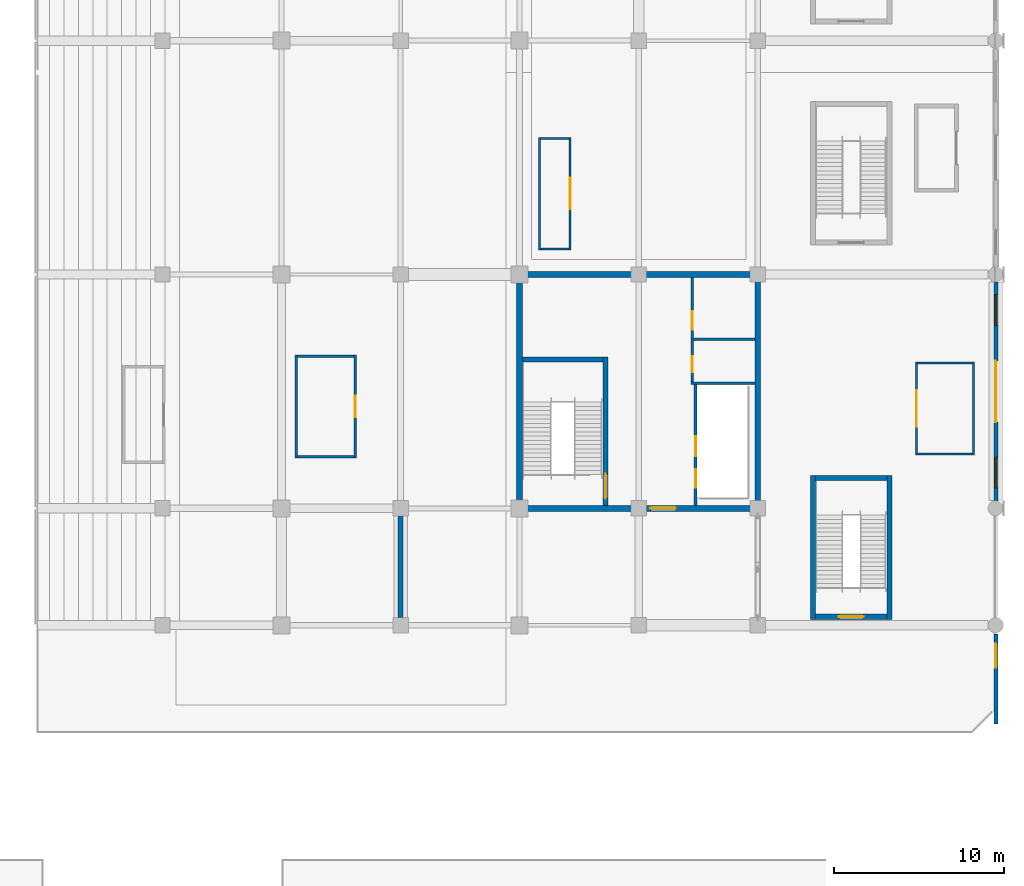
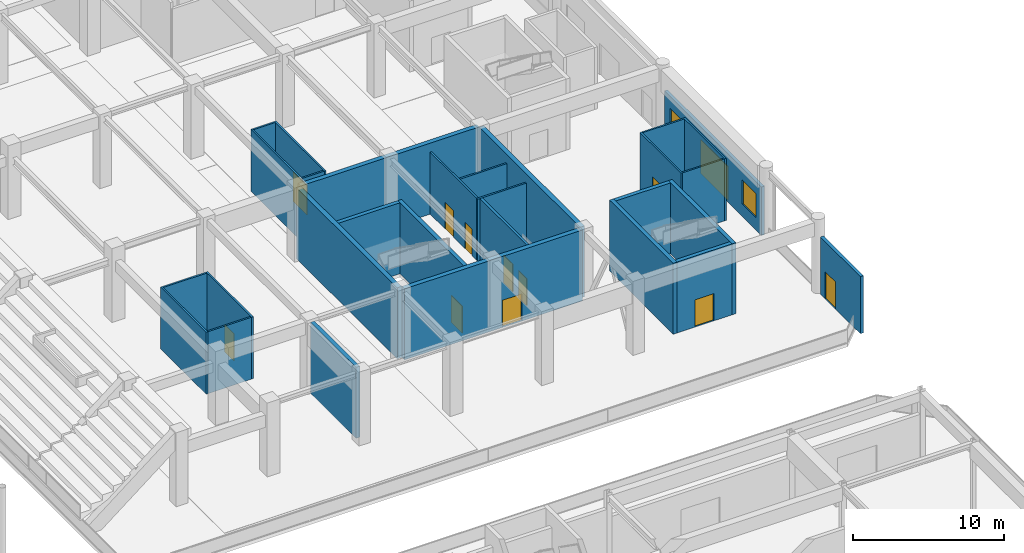
# One storey, part 44 of 73: 29 walls, 12 doors, 2 windows, 14 openings.
"""IFC4 building model written with IfcOpenShell, lengths in metres."""

from ifc_helpers import new_model, si_unit, direction, frame, frame_2d, origin, place, context, subcontext, project, spatial, rectangle, extrude, material, layer, layer_set, type_object, element, fill, save


model = new_model("IFC4")

# Units and contexts
model_context = context("Model", 3, precision=1e-05, world=origin(), true_north=direction((0.0, 1.0)))
body_context = subcontext(model_context, "Body", "Model", "MODEL_VIEW")
ifc_project = project(units=[si_unit("LENGTHUNIT", "METRE"), si_unit("AREAUNIT", "SQUARE_METRE"), si_unit("VOLUMEUNIT", "CUBIC_METRE"), si_unit("PLANEANGLEUNIT", "RADIAN"), si_unit("MASSUNIT", "GRAM", prefix="KILO")], contexts=[model_context])

# Site, building, storey
site_placement = place(None, origin())
site = spatial("IfcSite", under=ifc_project, at=site_placement, CompositionType="ELEMENT")
building_placement = place(site_placement, origin())
building = spatial("IfcBuilding", under=site, at=building_placement, Name="Linyun Crest Stadium", CompositionType="ELEMENT")
storey_placement = place(building_placement, origin())
storey = spatial("IfcBuildingStorey", under=building, at=storey_placement, Name="L01", CompositionType="ELEMENT", Elevation=0.0)

# Walls
ifc_material_1 = material(Name="Concrete C50", Category="concrete")
ifc_layer_1 = layer(ifc_material_1, 0.35009765625)
ifc_layer_set_1 = layer_set([ifc_layer_1], Name="Concrete C50")
wall_type_1 = type_object("IfcWallType", Name="CW01", PredefinedType="SHEAR", material=ifc_layer_set_1)
for number, where, z_axis, x_axis, name in (
    (1, (70.0, -38.949951171875, 0.0), (0.0, 0.0, 1.0), (0.0, 1.0, 0.0), "Core shear wall CW01 CORE-E1 L01.1"),
    (2, (84.0, -38.949951171875, 0.0), (0.0, 0.0, 1.0), (0.0, 1.0, 0.0), "Core shear wall CW01 CORE-E1 L01.2"),
):
    element("IfcWall", number, at=place(storey_placement, frame(where, z_axis=z_axis, x_axis=x_axis)), inside=storey, type_object=wall_type_1, Name=name, PredefinedType="SHEAR", context=body_context, shape_type="SweptSolid", body=[
        extrude(rectangle(XDim=13.39990234375, YDim=0.35009765625, at=frame_2d((6.699951171875, 0.0))), origin(), (0.0, 0.0, 1.0), 5.75),
    ])

# Wall, opening, door
wall_1_placement = place(storey_placement, frame((70.175048828125, -39.125, 0.0), z_axis=(0.0, 0.0, 1.0), x_axis=(1.0, 0.0, 0.0)))
wall_1 = element("IfcWall", 3, at=wall_1_placement, inside=storey, type_object=wall_type_1, Name="Core shear wall CW01 CORE-E1 L01.3", PredefinedType="SHEAR", context=body_context, shape_type="SweptSolid", body=[
    extrude(rectangle(XDim=13.64990234375, YDim=0.35009765625, at=frame_2d((6.824951171875, 0.0))), origin(), (0.0, 0.0, 1.0), 5.75),
])
opening_1_placement = place(wall_1_placement, frame((7.508056640625, 0.0, 0.0)))
opening_1 = element("IfcOpeningElement", 4, at=opening_1_placement, cuts=wall_1, Name="Opening D-L01-154", PredefinedType="OPENING", context=body_context, shape_type="SweptSolid", body=[
    extrude(rectangle(XDim=1.5, YDim=2.199951171875, at=frame_2d((0.75, 1.10009765625))), frame((0.0, 0.18505859375, 0.0), z_axis=(0.0, -1.0, 0.0), x_axis=(1.0, 0.0, 0.0)), (0.0, 0.0, 1.0), 0.3701171875),
])
ifc_material_2 = material(Name="Galvanized steel Class A fire door", Category="steel")
ifc_layer_2 = layer(ifc_material_2, 0.054931640625)
ifc_layer_set_2 = layer_set([ifc_layer_2], Name="Galvanized steel Class A fire door")
door_type_1 = type_object("IfcDoorType", Name="FD01", OperationType="NOTDEFINED", PredefinedType="DOOR", material=ifc_layer_set_2)
door_1_placement = place(opening_1_placement, origin())
door_1 = element("IfcDoor", 5, at=door_1_placement, inside=storey, type_object=door_type_1, Name="Door D-L01-154", OperationType="SINGLE_SWING_RIGHT", OverallHeight=2.199951171875, OverallWidth=1.5, PredefinedType="DOOR", context=body_context, shape_type="SweptSolid", body=[
    extrude(rectangle(XDim=1.5, YDim=2.199951171875, at=frame_2d((0.75, 1.10009765625))), frame((0.0, 0.02490234375, 0.0), z_axis=(0.0, -1.0, 0.0), x_axis=(1.0, 0.0, 0.0)), (0.0, 0.0, 1.0), 0.050048828125),
])
fill(opening_1, door_1)

# Wall
wall_2_placement = place(storey_placement, frame((70.175048828125, -25.375, 0.0), z_axis=(0.0, 0.0, 1.0), x_axis=(1.0, 0.0, 0.0)))
element("IfcWall", 6, at=wall_2_placement, inside=storey, type_object=wall_type_1, Name="Core shear wall CW01 CORE-E1 L01.4", PredefinedType="SHEAR", context=body_context, shape_type="SweptSolid", body=[
    extrude(rectangle(XDim=13.64990234375, YDim=0.35009765625, at=frame_2d((6.824951171875, 0.0))), origin(), (0.0, 0.0, 1.0), 5.75),
])

# Wall, openings, door, windows
ifc_material_3 = material(Name="Precast concrete C40 architectural ribbed panel", Category="concrete")
ifc_layer_3 = layer(ifc_material_3, 0.239990234375)
ifc_layer_set_3 = layer_set([ifc_layer_3], Name="Precast concrete C40 architectural ribbed panel")
wall_type_2 = type_object("IfcWallType", Name="EW01", PredefinedType="SOLIDWALL", material=ifc_layer_set_3)
wall_3_placement = place(storey_placement, frame((98.0, -25.81494140625, 0.0), z_axis=(0.0, 0.0, 1.0), x_axis=(0.0, -1.0, 0.0)))
wall_3 = element("IfcWall", 7, at=wall_3_placement, inside=storey, type_object=wall_type_2, Name="Exterior wall EW01 L01 4", PredefinedType="SOLIDWALL", context=body_context, shape_type="SweptSolid", body=[
    extrude(rectangle(XDim=12.8701171875, YDim=0.239990234375, at=frame_2d((6.43505859375, 0.0))), origin(), (0.0, 0.0, 1.0), 3.925048828125),
])
opening_2_placement = place(wall_3_placement, frame((4.635009765625, 0.0, 0.0)))
opening_2 = element("IfcOpeningElement", 8, at=opening_2_placement, cuts=wall_3, Name="Opening E02", PredefinedType="OPENING", context=body_context, shape_type="SweptSolid", body=[
    extrude(rectangle(XDim=3.60009765625, YDim=2.75, at=frame_2d((1.800048828125, 1.375))), frame((0.0, 0.1298828125, 0.0), z_axis=(0.0, -1.0, 0.0), x_axis=(1.0, 0.0, 0.0)), (0.0, 0.0, 1.0), 0.260009765625),
])
opening_3_placement = place(wall_3_placement, frame((0.75, 0.0, 1.0)))
opening_3 = element("IfcOpeningElement", 9, at=opening_3_placement, cuts=wall_3, Name="Opening WN02", PredefinedType="OPENING", context=body_context, shape_type="SweptSolid", body=[
    extrude(rectangle(XDim=1.800048828125, YDim=1.949951171875, at=frame_2d((0.89990234375, 0.97509765625))), frame((0.0, 0.1298828125, 0.0), z_axis=(0.0, -1.0, 0.0), x_axis=(1.0, 0.0, 0.0)), (0.0, 0.0, 1.0), 0.260009765625),
])
opening_4_placement = place(wall_3_placement, frame((10.320068359375, 0.0, 1.0)))
opening_4 = element("IfcOpeningElement", 10, at=opening_4_placement, cuts=wall_3, Name="Opening WN02", PredefinedType="OPENING", context=body_context, shape_type="SweptSolid", body=[
    extrude(rectangle(XDim=1.800048828125, YDim=1.949951171875, at=frame_2d((0.89990234375, 0.97509765625))), frame((0.0, 0.1298828125, 0.0), z_axis=(0.0, -1.0, 0.0), x_axis=(1.0, 0.0, 0.0)), (0.0, 0.0, 1.0), 0.260009765625),
])
ifc_material_4 = material(Name="Verdigris painted steel and laminated glass", Category="steel")
ifc_layer_4 = layer(ifc_material_4, 0.06005859375)
ifc_layer_set_4 = layer_set([ifc_layer_4], Name="Verdigris painted steel and laminated glass")
door_type_2 = type_object("IfcDoorType", Name="ED02", OperationType="NOTDEFINED", PredefinedType="DOOR", material=ifc_layer_set_4)
door_2_placement = place(opening_2_placement, origin())
door_2 = element("IfcDoor", 11, at=door_2_placement, inside=storey, type_object=door_type_2, Name="Main entrance E02", OperationType="DOUBLE_DOOR_SINGLE_SWING", OverallHeight=2.75, OverallWidth=3.60009765625, PredefinedType="DOOR", context=body_context, shape_type="SweptSolid", body=[
    extrude(rectangle(XDim=3.60009765625, YDim=2.75, at=frame_2d((1.800048828125, 1.375))), frame((0.0, 0.02490234375, 0.0), z_axis=(0.0, -1.0, 0.0), x_axis=(1.0, 0.0, 0.0)), (0.0, 0.0, 1.0), 0.050048828125),
])
fill(opening_2, door_2)
ifc_material_5 = material(Name="Aluminium frame with double low-E glazing", Category="aluminium")
ifc_layer_5 = layer(ifc_material_5, 0.06005859375)
ifc_layer_set_5 = layer_set([ifc_layer_5], Name="Aluminium frame with double low-E glazing")
window_type = type_object("IfcWindowType", Name="WN02", PartitioningType="SINGLE_PANEL", PredefinedType="WINDOW", material=ifc_layer_set_5)
window_1_placement = place(opening_3_placement, origin())
window_1 = element("IfcWindow", 12, at=window_1_placement, inside=storey, type_object=window_type, Name="Window WN02 L01 5", OverallHeight=1.949951171875, OverallWidth=1.800048828125, PartitioningType="SINGLE_PANEL", PredefinedType="WINDOW", context=body_context, shape_type="SweptSolid", body=[
    extrude(rectangle(XDim=1.800048828125, YDim=1.949951171875, at=frame_2d((0.89990234375, 0.97509765625))), frame((0.0, 0.030029296875, 0.0), z_axis=(0.0, -1.0, 0.0), x_axis=(1.0, 0.0, 0.0)), (0.0, 0.0, 1.0), 0.06005859375),
])
fill(opening_3, window_1)
window_2_placement = place(opening_4_placement, origin())
window_2 = element("IfcWindow", 13, at=window_2_placement, inside=storey, type_object=window_type, Name="Window WN02 L01 6", OverallHeight=1.949951171875, OverallWidth=1.800048828125, PartitioningType="SINGLE_PANEL", PredefinedType="WINDOW", context=body_context, shape_type="SweptSolid", body=[
    extrude(rectangle(XDim=1.800048828125, YDim=1.949951171875, at=frame_2d((0.89990234375, 0.97509765625))), frame((0.0, 0.030029296875, 0.0), z_axis=(0.0, -1.0, 0.0), x_axis=(1.0, 0.0, 0.0)), (0.0, 0.0, 1.0), 0.06005859375),
])
fill(opening_4, window_2)

# Wall, opening, door
wall_4_placement = place(storey_placement, frame((98.0, -46.5, 0.0), z_axis=(0.0, 0.0, 1.0), x_axis=(0.0, -1.0, 0.0)))
wall_4 = element("IfcWall", 14, at=wall_4_placement, inside=storey, type_object=wall_type_2, Name="Exterior wall EW01 L01 27", PredefinedType="SOLIDWALL", context=body_context, shape_type="SweptSolid", body=[
    extrude(rectangle(XDim=5.300048828125, YDim=0.239990234375, at=frame_2d((2.64990234375, 0.0))), origin(), (0.0, 0.0, 1.0), 4.625),
])
opening_5_placement = place(wall_4_placement, frame((0.60009765625, 0.0, 0.0)))
opening_5 = element("IfcOpeningElement", 15, at=opening_5_placement, cuts=wall_4, Name="Opening E-ST18", PredefinedType="OPENING", context=body_context, shape_type="SweptSolid", body=[
    extrude(rectangle(XDim=1.39990234375, YDim=2.199951171875, at=frame_2d((0.699951171875, 1.10009765625))), frame((0.0, 0.1298828125, 0.0), z_axis=(0.0, -1.0, 0.0), x_axis=(1.0, 0.0, 0.0)), (0.0, 0.0, 1.0), 0.260009765625),
])
ifc_material_6 = material(Name="Galvanized fire-rated steel leaf", Category="steel")
ifc_layer_6 = layer(ifc_material_6, 0.054931640625)
ifc_layer_set_6 = layer_set([ifc_layer_6], Name="Galvanized fire-rated steel leaf")
door_type_3 = type_object("IfcDoorType", Name="FD09", OperationType="NOTDEFINED", PredefinedType="DOOR", material=ifc_layer_set_6)
door_3_placement = place(opening_5_placement, origin())
door_3 = element("IfcDoor", 16, at=door_3_placement, inside=storey, type_object=door_type_3, Name="Stair discharge exit E-ST18", OperationType="SINGLE_SWING_RIGHT", OverallHeight=2.199951171875, OverallWidth=1.39990234375, PredefinedType="DOOR", context=body_context, shape_type="SweptSolid", body=[
    extrude(rectangle(XDim=1.39990234375, YDim=2.199951171875, at=frame_2d((0.699951171875, 1.10009765625))), frame((0.0, 0.02490234375, 0.0), z_axis=(0.0, -1.0, 0.0), x_axis=(1.0, 0.0, 0.0)), (0.0, 0.0, 1.0), 0.050048828125),
])
fill(opening_5, door_3)

# Wall, openings, doors
ifc_material_7 = material(Name="Autoclaved aerated concrete block fire partition", Category="concrete")
ifc_layer_7 = layer(ifc_material_7, 0.179931640625)
ifc_layer_set_7 = layer_set([ifc_layer_7], Name="Autoclaved aerated concrete block fire partition")
wall_type_3 = type_object("IfcWallType", Name="PW12", PredefinedType="PARTITIONING", material=ifc_layer_set_7)
wall_5_placement = place(storey_placement, frame((80.35009765625, -38.949951171875, 0.0), z_axis=(0.0, 0.0, 1.0), x_axis=(0.0, 1.0, 0.0)))
wall_5 = element("IfcWall", 17, at=wall_5_placement, inside=storey, type_object=wall_type_3, Name="Partition PW12 L01 59", PredefinedType="PARTITIONING", context=body_context, shape_type="SweptSolid", body=[
    extrude(rectangle(XDim=7.10498046875, YDim=0.179931640625, at=frame_2d((3.552490234375, 0.0))), origin(), (0.0, 0.0, 1.0), 5.02001953125),
])
opening_6_placement = place(wall_5_placement, frame((1.02490234375, 0.0, 0.0)))
opening_6 = element("IfcOpeningElement", 18, at=opening_6_placement, cuts=wall_5, Name="Opening LD051", PredefinedType="OPENING", context=body_context, shape_type="SweptSolid", body=[
    extrude(rectangle(XDim=1.10009765625, YDim=2.199951171875, at=frame_2d((0.550048828125, 1.10009765625))), frame((0.0, 0.099853515625, 0.0), z_axis=(0.0, -1.0, 0.0), x_axis=(1.0, 0.0, 0.0)), (0.0, 0.0, 1.0), 0.199951171875),
])
opening_7_placement = place(wall_5_placement, frame((2.875, 0.0, 0.0)))
opening_7 = element("IfcOpeningElement", 19, at=opening_7_placement, cuts=wall_5, Name="Opening LD052", PredefinedType="OPENING", context=body_context, shape_type="SweptSolid", body=[
    extrude(rectangle(XDim=1.199951171875, YDim=2.25, at=frame_2d((0.60009765625, 1.125))), frame((0.0, 0.099853515625, 0.0), z_axis=(0.0, -1.0, 0.0), x_axis=(1.0, 0.0, 0.0)), (0.0, 0.0, 1.0), 0.199951171875),
])
ifc_material_8 = material(Name="Brushed stainless sliding lift door")
ifc_layer_8 = layer(ifc_material_8, 0.050048828125)
ifc_layer_set_8 = layer_set([ifc_layer_8], Name="Brushed stainless sliding lift door")
door_type_4 = type_object("IfcDoorType", Name="LD01", OperationType="NOTDEFINED", PredefinedType="DOOR", material=ifc_layer_set_8)
door_4_placement = place(opening_6_placement, origin())
door_4 = element("IfcDoor", 20, at=door_4_placement, inside=storey, type_object=door_type_4, Name="Lift landing door LD051", OperationType="DOUBLE_DOOR_SLIDING", OverallHeight=2.199951171875, OverallWidth=1.10009765625, PredefinedType="DOOR", context=body_context, shape_type="SweptSolid", body=[
    extrude(rectangle(XDim=1.10009765625, YDim=2.199951171875, at=frame_2d((0.550048828125, 1.10009765625))), frame((0.0, 0.02490234375, 0.0), z_axis=(0.0, -1.0, 0.0), x_axis=(1.0, 0.0, 0.0)), (0.0, 0.0, 1.0), 0.050048828125),
])
fill(opening_6, door_4)
ifc_material_9 = material(Name="Brushed stainless sliding lift door")
ifc_layer_9 = layer(ifc_material_9, 0.050048828125)
ifc_layer_set_9 = layer_set([ifc_layer_9], Name="Brushed stainless sliding lift door")
door_type_5 = type_object("IfcDoorType", Name="LD02", OperationType="NOTDEFINED", PredefinedType="DOOR", material=ifc_layer_set_9)
door_5_placement = place(opening_7_placement, origin())
door_5 = element("IfcDoor", 21, at=door_5_placement, inside=storey, type_object=door_type_5, Name="Lift landing door LD052", OperationType="DOUBLE_DOOR_SLIDING", OverallHeight=2.25, OverallWidth=1.199951171875, PredefinedType="DOOR", context=body_context, shape_type="SweptSolid", body=[
    extrude(rectangle(XDim=1.199951171875, YDim=2.25, at=frame_2d((0.60009765625, 1.125))), frame((0.0, 0.02490234375, 0.0), z_axis=(0.0, -1.0, 0.0), x_axis=(1.0, 0.0, 0.0)), (0.0, 0.0, 1.0), 0.050048828125),
])
fill(opening_7, door_5)

ifc_material_10 = material(Name="Moisture-resistant ceramic-tiled wet-room wall")
ifc_layer_10 = layer(ifc_material_10, 0.139892578125)
ifc_layer_set_10 = layer_set([ifc_layer_10], Name="Moisture-resistant ceramic-tiled wet-room wall")
wall_type_4 = type_object("IfcWallType", Name="PW15", PredefinedType="PARTITIONING", material=ifc_layer_set_10)
wall_6_placement = place(storey_placement, frame((80.14990234375, -31.705078125, 0.0), z_axis=(0.0, 0.0, 1.0), x_axis=(0.0, 1.0, 0.0)))
wall_6 = element("IfcWall", 22, at=wall_6_placement, inside=storey, type_object=wall_type_4, Name="Partition PW15 L01 60", PredefinedType="PARTITIONING", context=body_context, shape_type="SweptSolid", body=[
    extrude(rectangle(XDim=6.155029296875, YDim=0.139892578125, at=frame_2d((3.07763671875, 0.0))), origin(), (0.0, 0.0, 1.0), 5.02001953125),
])
opening_8_placement = place(wall_6_placement, frame((0.580078125, 0.0, 0.0)))
opening_8 = element("IfcOpeningElement", 23, at=opening_8_placement, cuts=wall_6, Name="Opening D-L01-158", PredefinedType="OPENING", context=body_context, shape_type="SweptSolid", body=[
    extrude(rectangle(XDim=0.949951171875, YDim=2.14990234375, at=frame_2d((0.47509765625, 1.074951171875))), frame((0.0, 0.079833984375, 0.0), z_axis=(0.0, -1.0, 0.0), x_axis=(1.0, 0.0, 0.0)), (0.0, 0.0, 1.0), 0.159912109375),
])
opening_9_placement = place(wall_6_placement, frame((3.080078125, 0.0, 0.0)))
opening_9 = element("IfcOpeningElement", 24, at=opening_9_placement, cuts=wall_6, Name="Opening D-L01-159", PredefinedType="OPENING", context=body_context, shape_type="SweptSolid", body=[
    extrude(rectangle(XDim=1.10009765625, YDim=2.14990234375, at=frame_2d((0.550048828125, 1.074951171875))), frame((0.0, 0.079833984375, 0.0), z_axis=(0.0, -1.0, 0.0), x_axis=(1.0, 0.0, 0.0)), (0.0, 0.0, 1.0), 0.159912109375),
])
ifc_material_11 = material(Name="Moisture-resistant laminate leaf")
ifc_layer_11 = layer(ifc_material_11, 0.044921875)
ifc_layer_set_11 = layer_set([ifc_layer_11], Name="Moisture-resistant laminate leaf")
door_type_6 = type_object("IfcDoorType", Name="ID02", OperationType="NOTDEFINED", PredefinedType="DOOR", material=ifc_layer_set_11)
door_6_placement = place(opening_8_placement, origin())
door_6 = element("IfcDoor", 25, at=door_6_placement, inside=storey, type_object=door_type_6, Name="Door D-L01-158", OperationType="SINGLE_SWING_RIGHT", OverallHeight=2.14990234375, OverallWidth=0.949951171875, PredefinedType="DOOR", context=body_context, shape_type="SweptSolid", body=[
    extrude(rectangle(XDim=0.949951171875, YDim=2.14990234375, at=frame_2d((0.47509765625, 1.074951171875))), frame((0.0, 0.02490234375, 0.0), z_axis=(0.0, -1.0, 0.0), x_axis=(1.0, 0.0, 0.0)), (0.0, 0.0, 1.0), 0.050048828125),
])
fill(opening_8, door_6)
ifc_material_12 = material(Name="Moisture-resistant laminate leaf")
ifc_layer_12 = layer(ifc_material_12, 0.044921875)
ifc_layer_set_12 = layer_set([ifc_layer_12], Name="Moisture-resistant laminate leaf")
door_type_7 = type_object("IfcDoorType", Name="ID03", OperationType="NOTDEFINED", PredefinedType="DOOR", material=ifc_layer_set_12)
door_7_placement = place(opening_9_placement, origin())
door_7 = element("IfcDoor", 26, at=door_7_placement, inside=storey, type_object=door_type_7, Name="Door D-L01-159", OperationType="SINGLE_SWING_LEFT", OverallHeight=2.14990234375, OverallWidth=1.10009765625, PredefinedType="DOOR", context=body_context, shape_type="SweptSolid", body=[
    extrude(rectangle(XDim=1.10009765625, YDim=2.14990234375, at=frame_2d((0.550048828125, 1.074951171875))), frame((0.0, 0.02490234375, 0.0), z_axis=(0.0, -1.0, 0.0), x_axis=(1.0, 0.0, 0.0)), (0.0, 0.0, 1.0), 0.050048828125),
])
fill(opening_9, door_7)

# Walls
wall_7_placement = place(storey_placement, frame((80.080078125, -31.77490234375, 0.0), z_axis=(0.0, 0.0, 1.0), x_axis=(1.0, 0.0, 0.0)))
element("IfcWall", 27, at=wall_7_placement, inside=storey, type_object=wall_type_4, Name="Enclosure partition PW15 L01 45", PredefinedType="PARTITIONING", context=body_context, shape_type="SweptSolid", body=[
    extrude(rectangle(XDim=3.744873046875, YDim=0.139892578125, at=frame_2d((1.87255859375, 0.0))), origin(), (0.0, 0.0, 1.0), 5.02001953125),
])
wall_8_placement = place(storey_placement, frame((80.219970703125, -29.175048828125, 0.0), z_axis=(0.0, 0.0, 1.0), x_axis=(1.0, 0.0, 0.0)))
element("IfcWall", 28, at=wall_8_placement, inside=storey, type_object=wall_type_4, Name="Enclosure partition PW15 L01 46", PredefinedType="PARTITIONING", context=body_context, shape_type="SweptSolid", body=[
    extrude(rectangle(XDim=3.60498046875, YDim=0.139892578125, at=frame_2d((1.802490234375, 0.0))), origin(), (0.0, 0.0, 1.0), 5.02001953125),
])

# Wall, opening, door
ifc_material_13 = material(Name="Steel-stud hospitality suite partition", Category="steel")
ifc_layer_13 = layer(ifc_material_13, 0.125)
ifc_layer_set_13 = layer_set([ifc_layer_13], Name="Steel-stud hospitality suite partition")
wall_type_5 = type_object("IfcWallType", Name="PW17", PredefinedType="PARTITIONING", material=ifc_layer_set_13)
wall_9_placement = place(storey_placement, frame((93.3369140625, -35.9951171875, 0.0), z_axis=(0.0, 0.0, 1.0), x_axis=(0.0, 1.0, 0.0)))
wall_9 = element("IfcWall", 29, at=wall_9_placement, inside=storey, type_object=wall_type_5, Name="Partition PW17 L01 166", PredefinedType="PARTITIONING", context=body_context, shape_type="SweptSolid", body=[
    extrude(rectangle(XDim=5.47021484375, YDim=0.125, at=frame_2d((2.735107421875, 0.0))), origin(), (0.0, 0.0, 1.0), 5.02001953125),
])
opening_10_placement = place(wall_9_placement, frame((1.659912109375, 0.0, 0.0)))
opening_10 = element("IfcOpeningElement", 30, at=opening_10_placement, cuts=wall_9, Name="Opening D-L01-429", PredefinedType="OPENING", context=body_context, shape_type="SweptSolid", body=[
    extrude(rectangle(XDim=2.14990234375, YDim=2.449951171875, at=frame_2d((1.074951171875, 1.22509765625))), frame((0.0, 0.072509765625, 0.0), z_axis=(0.0, -1.0, 0.0), x_axis=(1.0, 0.0, 0.0)), (0.0, 0.0, 1.0), 0.14501953125),
])
ifc_material_14 = material(Name="Anodized aluminium retail door", Category="aluminium")
ifc_layer_14 = layer(ifc_material_14, 0.054931640625)
ifc_layer_set_14 = layer_set([ifc_layer_14], Name="Anodized aluminium retail door")
door_type_8 = type_object("IfcDoorType", Name="ID18", OperationType="NOTDEFINED", PredefinedType="DOOR", material=ifc_layer_set_14)
door_8_placement = place(opening_10_placement, origin())
door_8 = element("IfcDoor", 31, at=door_8_placement, inside=storey, type_object=door_type_8, Name="Door D-L01-429", OperationType="DOUBLE_DOOR_SINGLE_SWING", OverallHeight=2.449951171875, OverallWidth=2.14990234375, PredefinedType="DOOR", context=body_context, shape_type="SweptSolid", body=[
    extrude(rectangle(XDim=2.14990234375, YDim=2.449951171875, at=frame_2d((1.074951171875, 1.22509765625))), frame((0.0, 0.02490234375, 0.0), z_axis=(0.0, -1.0, 0.0), x_axis=(1.0, 0.0, 0.0)), (0.0, 0.0, 1.0), 0.050048828125),
])
fill(opening_10, door_8)

# Walls
wall_10_placement = place(storey_placement, frame((96.677001953125, -35.9951171875, 0.0), z_axis=(0.0, 0.0, 1.0), x_axis=(0.0, 1.0, 0.0)))
element("IfcWall", 32, at=wall_10_placement, inside=storey, type_object=wall_type_5, Name="Enclosure partition PW17 L01 214", PredefinedType="PARTITIONING", context=body_context, shape_type="SweptSolid", body=[
    extrude(rectangle(XDim=5.47021484375, YDim=0.125, at=frame_2d((2.735107421875, 0.0))), origin(), (0.0, 0.0, 1.0), 5.02001953125),
])
for number, where, z_axis, x_axis, name in (
    (33, (93.39990234375, -35.931884765625, 0.0), (0.0, 0.0, 1.0), (1.0, 0.0, 0.0), "Enclosure partition PW17 L01 215"),
    (34, (93.39990234375, -30.587890625, 0.0), (0.0, 0.0, 1.0), (1.0, 0.0, 0.0), "Enclosure partition PW17 L01 216"),
):
    element("IfcWall", number, at=place(storey_placement, frame(where, z_axis=z_axis, x_axis=x_axis)), inside=storey, type_object=wall_type_5, Name=name, PredefinedType="PARTITIONING", context=body_context, shape_type="SweptSolid", body=[
        extrude(rectangle(XDim=3.214111328125, YDim=0.125, at=frame_2d((1.60693359375, 0.0))), origin(), (0.0, 0.0, 1.0), 5.02001953125),
    ])

# Wall, opening, door
ifc_material_15 = material(Name="Impact-resistant community sports hall lining")
ifc_layer_15 = layer(ifc_material_15, 0.135009765625)
ifc_layer_set_15 = layer_set([ifc_layer_15], Name="Impact-resistant community sports hall lining")
wall_type_6 = type_object("IfcWallType", Name="PW19", PredefinedType="PARTITIONING", material=ifc_layer_set_15)
wall_11_placement = place(storey_placement, frame((60.339111328125, -30.115966796875, 0.0), z_axis=(0.0, 0.0, 1.0), x_axis=(0.0, -1.0, 0.0)))
wall_11 = element("IfcWall", 35, at=wall_11_placement, inside=storey, type_object=wall_type_6, Name="Partition PW19 L01 168", PredefinedType="PARTITIONING", context=body_context, shape_type="SweptSolid", body=[
    extrude(rectangle(XDim=6.050048828125, YDim=0.135009765625, at=frame_2d((3.02490234375, 0.0))), origin(), (0.0, 0.0, 1.0), 5.02001953125),
])
opening_11_placement = place(wall_11_placement, frame((2.39990234375, 0.0, 0.0)))
opening_11 = element("IfcOpeningElement", 36, at=opening_11_placement, cuts=wall_11, Name="Opening D-L01-431", PredefinedType="OPENING", context=body_context, shape_type="SweptSolid", body=[
    extrude(rectangle(XDim=1.25, YDim=2.199951171875, at=frame_2d((0.625, 1.10009765625))), frame((0.0, 0.077392578125, 0.0), z_axis=(0.0, -1.0, 0.0), x_axis=(1.0, 0.0, 0.0)), (0.0, 0.0, 1.0), 0.155029296875),
])
ifc_material_16 = material(Name="Solid-core timber acoustic door", Category="wood")
ifc_layer_16 = layer(ifc_material_16, 0.050048828125)
ifc_layer_set_16 = layer_set([ifc_layer_16], Name="Solid-core timber acoustic door")
door_type_9 = type_object("IfcDoorType", Name="ID04", OperationType="NOTDEFINED", PredefinedType="DOOR", material=ifc_layer_set_16)
door_9_placement = place(opening_11_placement, origin())
door_9 = element("IfcDoor", 37, at=door_9_placement, inside=storey, type_object=door_type_9, Name="Door D-L01-431", OperationType="SINGLE_SWING_LEFT", OverallHeight=2.199951171875, OverallWidth=1.25, PredefinedType="DOOR", context=body_context, shape_type="SweptSolid", body=[
    extrude(rectangle(XDim=1.25, YDim=2.199951171875, at=frame_2d((0.625, 1.10009765625))), frame((0.0, 0.02490234375, 0.0), z_axis=(0.0, -1.0, 0.0), x_axis=(1.0, 0.0, 0.0)), (0.0, 0.0, 1.0), 0.050048828125),
])
fill(opening_11, door_9)

# Walls
wall_12_placement = place(storey_placement, frame((56.85888671875, -36.166015625, 0.0), z_axis=(0.0, 0.0, 1.0), x_axis=(0.0, 1.0, 0.0)))
element("IfcWall", 38, at=wall_12_placement, inside=storey, type_object=wall_type_6, Name="Enclosure partition PW19 L01 220", PredefinedType="PARTITIONING", context=body_context, shape_type="SweptSolid", body=[
    extrude(rectangle(XDim=6.050048828125, YDim=0.135009765625, at=frame_2d((3.02490234375, 0.0))), origin(), (0.0, 0.0, 1.0), 5.02001953125),
])
for number, where, z_axis, x_axis, name in (
    (39, (56.927001953125, -36.097900390625, 0.0), (0.0, 0.0, 1.0), (1.0, 0.0, 0.0), "Enclosure partition PW19 L01 221"),
    (40, (56.927001953125, -30.18408203125, 0.0), (0.0, 0.0, 1.0), (1.0, 0.0, 0.0), "Enclosure partition PW19 L01 222"),
):
    element("IfcWall", number, at=place(storey_placement, frame(where, z_axis=z_axis, x_axis=x_axis)), inside=storey, type_object=wall_type_6, Name=name, PredefinedType="PARTITIONING", context=body_context, shape_type="SweptSolid", body=[
        extrude(rectangle(XDim=3.343994140625, YDim=0.135009765625, at=frame_2d((1.671875, 0.0))), origin(), (0.0, 0.0, 1.0), 5.02001953125),
    ])

# Wall, opening, door
ifc_material_17 = material(Name="Acoustic commentary booth partition")
ifc_layer_17 = layer(ifc_material_17, 0.1298828125)
ifc_layer_set_17 = layer_set([ifc_layer_17], Name="Acoustic commentary booth partition")
wall_type_7 = type_object("IfcWallType", Name="PW22", PredefinedType="PARTITIONING", material=ifc_layer_set_17)
wall_13_placement = place(storey_placement, frame((72.967041015625, -17.30810546875, 0.0), z_axis=(0.0, 0.0, 1.0), x_axis=(0.0, -1.0, 0.0)))
wall_13 = element("IfcWall", 41, at=wall_13_placement, inside=storey, type_object=wall_type_7, Name="Partition PW22 L01 170", PredefinedType="PARTITIONING", context=body_context, shape_type="SweptSolid", body=[
    extrude(rectangle(XDim=6.6298828125, YDim=0.1298828125, at=frame_2d((3.31494140625, 0.0))), origin(), (0.0, 0.0, 1.0), 5.02001953125),
])
opening_12_placement = place(wall_13_placement, frame((2.389892578125, 0.0, 0.0)))
opening_12 = element("IfcOpeningElement", 42, at=opening_12_placement, cuts=wall_13, Name="Opening D-L01-433", PredefinedType="OPENING", context=body_context, shape_type="SweptSolid", body=[
    extrude(rectangle(XDim=1.85009765625, YDim=2.39990234375, at=frame_2d((0.925048828125, 1.199951171875))), frame((0.0, 0.074951171875, 0.0), z_axis=(0.0, -1.0, 0.0), x_axis=(1.0, 0.0, 0.0)), (0.0, 0.0, 1.0), 0.14990234375),
])
ifc_material_18 = material(Name="Double glazed timber-and-brass door", Category="wood")
ifc_layer_18 = layer(ifc_material_18, 0.054931640625)
ifc_layer_set_18 = layer_set([ifc_layer_18], Name="Double glazed timber-and-brass door")
door_type_10 = type_object("IfcDoorType", Name="ID06", OperationType="NOTDEFINED", PredefinedType="DOOR", material=ifc_layer_set_18)
door_10_placement = place(opening_12_placement, origin())
door_10 = element("IfcDoor", 43, at=door_10_placement, inside=storey, type_object=door_type_10, Name="Door D-L01-433", OperationType="DOUBLE_DOOR_SINGLE_SWING", OverallHeight=2.39990234375, OverallWidth=1.85009765625, PredefinedType="DOOR", context=body_context, shape_type="SweptSolid", body=[
    extrude(rectangle(XDim=1.85009765625, YDim=2.39990234375, at=frame_2d((0.925048828125, 1.199951171875))), frame((0.0, 0.02490234375, 0.0), z_axis=(0.0, -1.0, 0.0), x_axis=(1.0, 0.0, 0.0)), (0.0, 0.0, 1.0), 0.050048828125),
])
fill(opening_12, door_10)

# Walls
wall_14_placement = place(storey_placement, frame((71.1669921875, -23.93798828125, 0.0), z_axis=(0.0, 0.0, 1.0), x_axis=(0.0, 1.0, 0.0)))
element("IfcWall", 44, at=wall_14_placement, inside=storey, type_object=wall_type_7, Name="Enclosure partition PW22 L01 226", PredefinedType="PARTITIONING", context=body_context, shape_type="SweptSolid", body=[
    extrude(rectangle(XDim=6.6298828125, YDim=0.1298828125, at=frame_2d((3.31494140625, 0.0))), origin(), (0.0, 0.0, 1.0), 5.02001953125),
])
for number, where, z_axis, x_axis, name in (
    (45, (71.23193359375, -23.873046875, 0.0), (0.0, 0.0, 1.0), (1.0, 0.0, 0.0), "Enclosure partition PW22 L01 227"),
    (46, (71.23193359375, -17.373046875, 0.0), (0.0, 0.0, 1.0), (1.0, 0.0, 0.0), "Enclosure partition PW22 L01 228"),
):
    element("IfcWall", number, at=place(storey_placement, frame(where, z_axis=z_axis, x_axis=x_axis)), inside=storey, type_object=wall_type_7, Name=name, PredefinedType="PARTITIONING", context=body_context, shape_type="SweptSolid", body=[
        extrude(rectangle(XDim=1.670166015625, YDim=0.1298828125, at=frame_2d((0.8349609375, 0.0))), origin(), (0.0, 0.0, 1.0), 5.02001953125),
    ])
ifc_material_19 = material(Name="Concrete C50", Category="concrete")
ifc_layer_19 = layer(ifc_material_19, 0.300048828125)
ifc_layer_set_19 = layer_set([ifc_layer_19], Name="Concrete C50")
wall_type_8 = type_object("IfcWallType", Name="SW01", PredefinedType="SHEAR", material=ifc_layer_set_19)
wall_15_placement = place(storey_placement, frame((63.0, -45.550048828125, 0.0), z_axis=(0.0, 0.0, 1.0), x_axis=(0.0, 1.0, 0.0)))
element("IfcWall", 47, at=wall_15_placement, inside=storey, type_object=wall_type_8, Name="Shear wall SW01 L01 310", PredefinedType="SHEAR", context=body_context, shape_type="SweptSolid", body=[
    extrude(rectangle(XDim=6.050048828125, YDim=0.300048828125, at=frame_2d((3.02490234375, 0.0))), origin(), (0.0, 0.0, 1.0), 5.75),
])

# Wall, opening, door
wall_16_placement = place(storey_placement, frame((75.050048828125, -38.949951171875, 0.0), z_axis=(0.0, 0.0, 1.0), x_axis=(0.0, 1.0, 0.0)))
wall_16 = element("IfcWall", 48, at=wall_16_placement, inside=storey, type_object=wall_type_8, Name="Core stair east bearing wall SW01 4 L01", PredefinedType="SHEAR", context=body_context, shape_type="SweptSolid", body=[
    extrude(rectangle(XDim=8.724853515625, YDim=0.300048828125, at=frame_2d((4.3623046875, 0.0))), origin(), (0.0, 0.0, 1.0), 5.75),
])
opening_13_placement = place(wall_16_placement, frame((0.39501953125, 0.0, 0.0)))
opening_13 = element("IfcOpeningElement", 49, at=opening_13_placement, cuts=wall_16, Name="Opening D-L01-155", PredefinedType="OPENING", context=body_context, shape_type="SweptSolid", body=[
    extrude(rectangle(XDim=1.449951171875, YDim=2.199951171875, at=frame_2d((0.72509765625, 1.10009765625))), frame((0.0, 0.159912109375, 0.0), z_axis=(0.0, -1.0, 0.0), x_axis=(1.0, 0.0, 0.0)), (0.0, 0.0, 1.0), 0.320068359375),
])
ifc_material_20 = material(Name="Galvanized steel Class A fire door", Category="steel")
ifc_layer_20 = layer(ifc_material_20, 0.054931640625)
ifc_layer_set_20 = layer_set([ifc_layer_20], Name="Galvanized steel Class A fire door")
door_type_11 = type_object("IfcDoorType", Name="FD02", OperationType="NOTDEFINED", PredefinedType="DOOR", material=ifc_layer_set_20)
door_11_placement = place(opening_13_placement, origin())
door_11 = element("IfcDoor", 50, at=door_11_placement, inside=storey, type_object=door_type_11, Name="Door D-L01-155", OperationType="SINGLE_SWING_LEFT", OverallHeight=2.199951171875, OverallWidth=1.449951171875, PredefinedType="DOOR", context=body_context, shape_type="SweptSolid", body=[
    extrude(rectangle(XDim=1.449951171875, YDim=2.199951171875, at=frame_2d((0.72509765625, 1.10009765625))), frame((0.0, 0.02490234375, 0.0), z_axis=(0.0, -1.0, 0.0), x_axis=(1.0, 0.0, 0.0)), (0.0, 0.0, 1.0), 0.050048828125),
])
fill(opening_13, door_11)

# Wall
wall_17_placement = place(storey_placement, frame((70.175048828125, -30.375, 0.0), z_axis=(0.0, 0.0, 1.0), x_axis=(1.0, 0.0, 0.0)))
element("IfcWall", 51, at=wall_17_placement, inside=storey, type_object=wall_type_8, Name="Core stair bearing wall SW01 4 L01", PredefinedType="SHEAR", context=body_context, shape_type="SweptSolid", body=[
    extrude(rectangle(XDim=4.724853515625, YDim=0.300048828125, at=frame_2d((2.3623046875, 0.0))), origin(), (0.0, 0.0, 1.0), 5.75),
])

# Wall, opening, door
wall_18_placement = place(storey_placement, frame((87.39990234375, -45.5, 0.0), z_axis=(0.0, 0.0, 1.0), x_axis=(1.0, 0.0, 0.0)))
wall_18 = element("IfcWall", 52, at=wall_18_placement, inside=storey, type_object=wall_type_8, Name="Stair shaft wall SW01 STR-18 L01 S", PredefinedType="SHEAR", context=body_context, shape_type="SweptSolid", body=[
    extrude(rectangle(XDim=4.2001953125, YDim=0.300048828125, at=frame_2d((2.10009765625, 0.0))), origin(), (0.0, 0.0, 1.0), 5.75),
])
opening_14_placement = place(wall_18_placement, frame((1.375, 0.0, 0.0)))
opening_14 = element("IfcOpeningElement", 53, at=opening_14_placement, cuts=wall_18, Name="Opening D-L01-568", PredefinedType="OPENING", context=body_context, shape_type="SweptSolid", body=[
    extrude(rectangle(XDim=1.449951171875, YDim=2.199951171875, at=frame_2d((0.72509765625, 1.10009765625))), frame((0.0, 0.159912109375, 0.0), z_axis=(0.0, -1.0, 0.0), x_axis=(1.0, 0.0, 0.0)), (0.0, 0.0, 1.0), 0.320068359375),
])
door_12_placement = place(opening_14_placement, origin())
door_12 = element("IfcDoor", 54, at=door_12_placement, inside=storey, type_object=door_type_11, Name="Door D-L01-568", OperationType="SINGLE_SWING_RIGHT", OverallHeight=2.199951171875, OverallWidth=1.449951171875, PredefinedType="DOOR", context=body_context, shape_type="SweptSolid", body=[
    extrude(rectangle(XDim=1.449951171875, YDim=2.199951171875, at=frame_2d((0.72509765625, 1.10009765625))), frame((0.0, 0.02490234375, 0.0), z_axis=(0.0, -1.0, 0.0), x_axis=(1.0, 0.0, 0.0)), (0.0, 0.0, 1.0), 0.050048828125),
])
fill(opening_14, door_12)

# Walls
wall_19_placement = place(storey_placement, frame((87.39990234375, -37.35009765625, 0.0), z_axis=(0.0, 0.0, 1.0), x_axis=(1.0, 0.0, 0.0)))
element("IfcWall", 55, at=wall_19_placement, inside=storey, type_object=wall_type_8, Name="Stair shaft wall SW01 STR-18 L01 N", PredefinedType="SHEAR", context=body_context, shape_type="SweptSolid", body=[
    extrude(rectangle(XDim=4.2001953125, YDim=0.300048828125, at=frame_2d((2.10009765625, 0.0))), origin(), (0.0, 0.0, 1.0), 5.75),
])
for number, where, z_axis, x_axis, name in (
    (56, (87.25, -45.64990234375, 0.0), (0.0, 0.0, 1.0), (0.0, 1.0, 0.0), "Stair shaft wall SW01 STR-18 L01 W"),
    (57, (91.75, -45.64990234375, 0.0), (0.0, 0.0, 1.0), (0.0, 1.0, 0.0), "Stair shaft wall SW01 STR-18 L01 E"),
):
    element("IfcWall", number, at=place(storey_placement, frame(where, z_axis=z_axis, x_axis=x_axis)), inside=storey, type_object=wall_type_8, Name=name, PredefinedType="SHEAR", context=body_context, shape_type="SweptSolid", body=[
        extrude(rectangle(XDim=8.449951171875, YDim=0.300048828125, at=frame_2d((4.22509765625, 0.0))), origin(), (0.0, 0.0, 1.0), 5.75),
    ])

save(model, "model.ifc")
